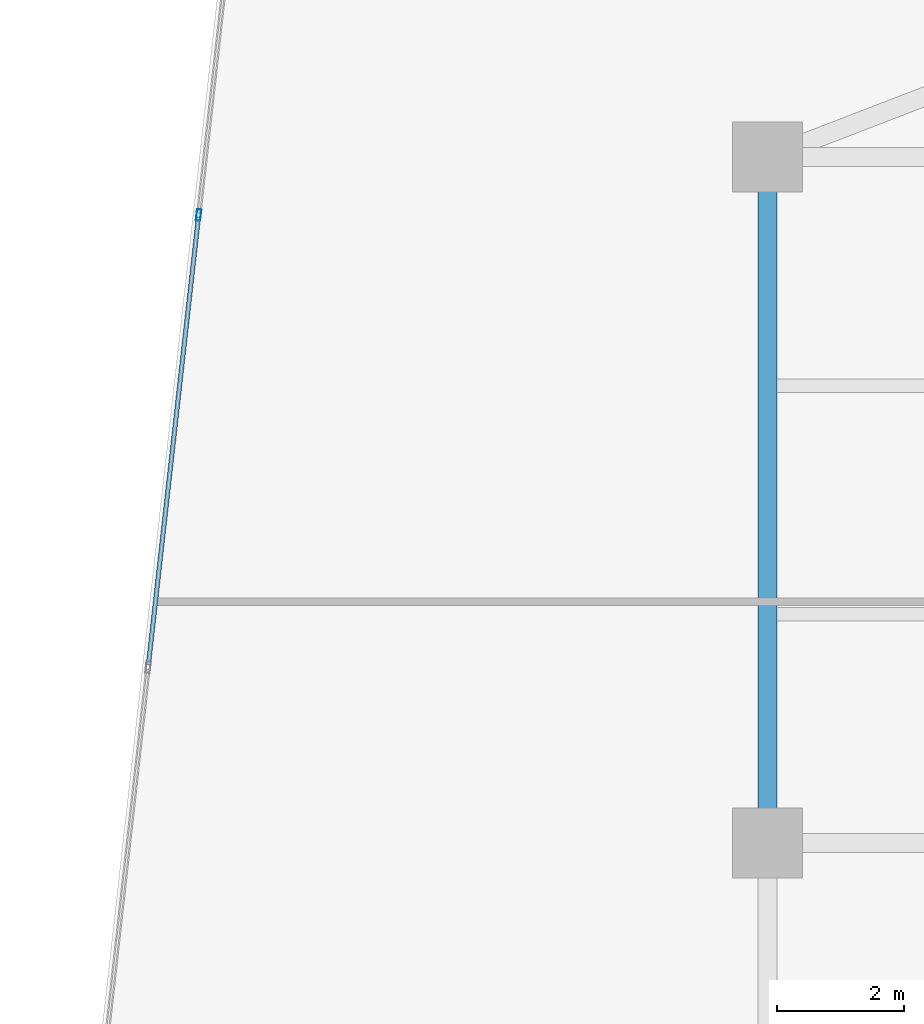
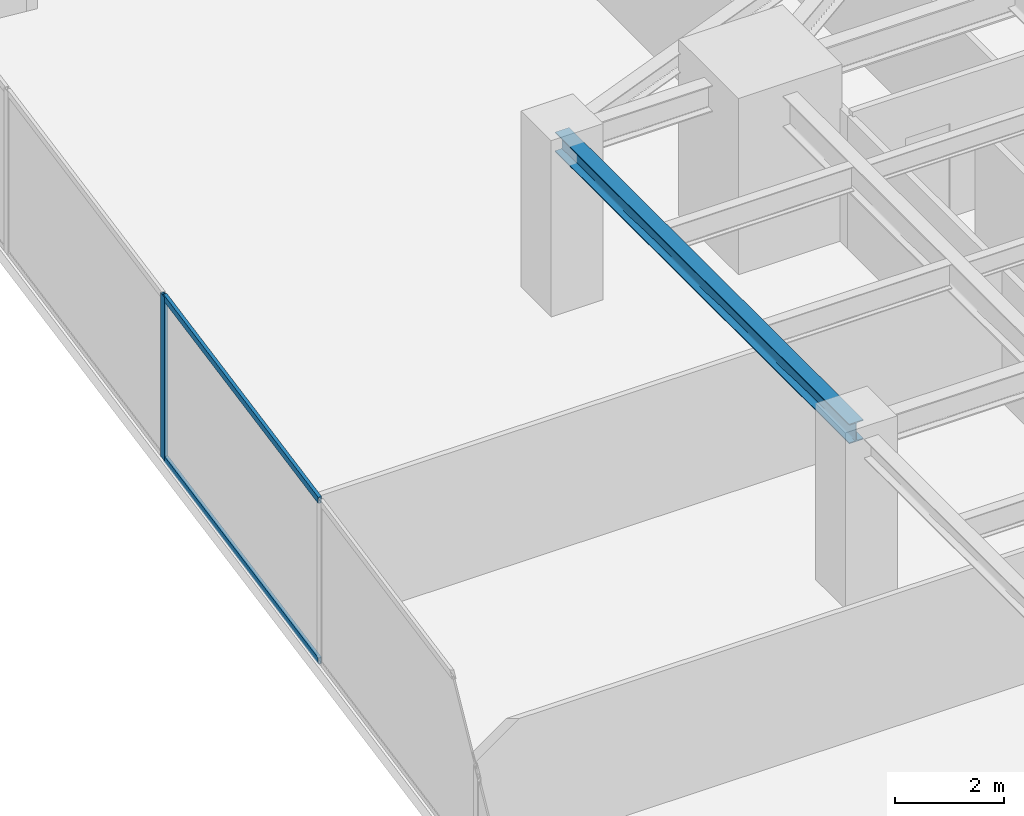
# One storey, part 15 of 29: 3 members, 1 beam, 1 element without a shape of its own.
"""IFC4 building model written with IfcOpenShell, lengths in metres."""

from ifc_helpers import new_model, si_unit, direction, frame, origin, origin_2d, place, context, subcontext, project, spatial, hollow_rectangle, i_section, extrude, source, transform, mapped, material, material_profile, profile_set, type_object, type_shapes, element, aggregate, save


model = new_model("IFC4")

# Units and contexts
model_context = context("Model", 3, precision=1e-05, world=origin(), true_north=direction((0.0, 1.0)))
body_context = subcontext(model_context, "Body", "Model", "MODEL_VIEW")
ifc_project = project(units=[si_unit("LENGTHUNIT", "METRE"), si_unit("AREAUNIT", "SQUARE_METRE"), si_unit("VOLUMEUNIT", "CUBIC_METRE"), si_unit("PLANEANGLEUNIT", "RADIAN"), si_unit("MASSUNIT", "GRAM", prefix="KILO")], contexts=[model_context])

# Site, building, storey
site_placement = place(None, origin())
site = spatial("IfcSite", under=ifc_project, at=site_placement, CompositionType="ELEMENT")
building_placement = place(site_placement, origin())
building = spatial("IfcBuilding", under=site, at=building_placement, Name="Krantzveldt Concourse Tower", CompositionType="ELEMENT")
storey_placement = place(building_placement, frame((0.0, 0.0, 60.550048828125)))
storey = spatial("IfcBuildingStorey", under=building, at=storey_placement, Name="L14", CompositionType="ELEMENT", Elevation=60.550048828125)

# Beam
ifc_material_1 = material(Name="Steel S355JR", Category="steel")
ifc_material_profile_1 = material_profile(ifc_material_1, i_section(OverallWidth=0.300048828125, OverallDepth=0.43994140625, WebThickness=0.011474609375, FlangeThickness=0.02099609375, FilletRadius=0.027099609375, at=origin_2d()), Name="Steel S355JR", Category="steel")
ifc_profile_set_1 = profile_set([ifc_material_profile_1], Name="Steel S355JR - HEA 450")
beam_type = type_object("IfcBeamType", Name="BM-SP-HEA450", PredefinedType="SPANDREL", material=ifc_profile_set_1)
shared_shape_1 = source(origin(), body_context, "Body", "SweptSolid", [
    extrude(i_section(OverallWidth=0.300048828125, OverallDepth=0.43994140625, WebThickness=0.011474609375, FlangeThickness=0.02099609375, FilletRadius=0.027099609375, at=origin_2d()), origin(), (0.0, 0.0, 1.0), 10.800048828125),
])
type_shapes(beam_type, [shared_shape_1])
beam_placement = place(storey_placement, frame((21.0, 26.699951171875, 3.449951171875), z_axis=(0.0, 1.0, 0.0), x_axis=(-1.0, 0.0, 0.0)))
element("IfcBeam", 1, at=beam_placement, inside=storey, type_object=beam_type, Name="L14 Tower Girder SP-R02", PredefinedType="SPANDREL", context=body_context, shape_type="MappedRepresentation", body=[
    mapped(shared_shape_1, transform((0.0, 0.0, 0.0), x_axis=(1.0, 0.0, 0.0), y_axis=(0.0, 1.0, 0.0), z_axis=(0.0, 0.0, 1.0), scale=1.0)),
])

# Curtain wall, members
ifc_material_2 = material(Name="Anodised aluminium 6063-T6", Category="aluminium")
curtain_wall_type = type_object("IfcCurtainWallType", Name="CW2", PredefinedType="USERDEFINED", material=ifc_material_2)
curtain_wall_placement = place(storey_placement, origin())
curtain_wall = element("IfcCurtainWall", 2, at=curtain_wall_placement, inside=storey, type_object=curtain_wall_type, Name="CW-L14-F01", ObjectType="UNITISED CURTAIN WALL", PredefinedType="USERDEFINED")
ifc_material_profile_2 = material_profile(ifc_material_2, hollow_rectangle(XDim=0.070068359375, YDim=0.179931640625, WallThickness=0.0048828125, at=origin_2d()), Name="Anodised aluminium 6063-T6", Category="aluminium")
ifc_profile_set_2 = profile_set([ifc_material_profile_2], Name="Anodised aluminium 6063-T6 - ALU-MULL 180x70x5")
member_type_1 = type_object("IfcMemberType", Name="CW-MUL-180", PredefinedType="MULLION", material=ifc_profile_set_2)
shared_shape_2 = source(origin(), body_context, "Body", "SweptSolid", [
    extrude(hollow_rectangle(XDim=0.070068359375, YDim=0.179931640625, WallThickness=0.0048828125, at=origin_2d()), origin(), (0.0, 0.0, 1.0), 3.669921875),
])
type_shapes(member_type_1, [shared_shape_2])
member_1_placement = place(storey_placement, frame((12.039794921875, 36.588134765625, 0.0), z_axis=(0.0, 0.0, 1.0), x_axis=(0.993816458223, -0.111035342863, 0.0)))
member_1 = element("IfcMember", 3, at=member_1_placement, type_object=member_type_1, Name="CW-Z12 mullion 3", PredefinedType="MULLION", context=body_context, shape_type="MappedRepresentation", body=[
    mapped(shared_shape_2, transform((0.0, 0.0, 0.0), x_axis=(1.0, 0.0, 0.0), y_axis=(0.0, 1.0, 0.0), z_axis=(0.0, 0.0, 1.0), scale=1.0)),
])
ifc_material_profile_3 = material_profile(ifc_material_2, hollow_rectangle(XDim=0.070068359375, YDim=0.139892578125, WallThickness=0.0048828125, at=origin_2d()), Name="Anodised aluminium 6063-T6", Category="aluminium")
ifc_profile_set_3 = profile_set([ifc_material_profile_3], Name="Anodised aluminium 6063-T6 - ALU-TRAN 140x70x5")
member_type_2 = type_object("IfcMemberType", Name="CW-TRN-150", PredefinedType="USERDEFINED", material=ifc_profile_set_3)
shared_shape_3 = source(origin(), body_context, "Body", "SweptSolid", [
    extrude(hollow_rectangle(XDim=0.070068359375, YDim=0.139892578125, WallThickness=0.0048828125, at=origin_2d()), origin(), (0.0, 0.0, 1.0), 7.0966796875),
])
type_shapes(member_type_2, [shared_shape_3])
member_2_placement = place(storey_placement, frame((12.035888671875, 36.553466796875, 0.034912109375), z_axis=(-0.111050746722, -0.993814737088, 0.0), x_axis=(0.993814737088, -0.111050746722, 0.0)))
member_2 = element("IfcMember", 4, at=member_2_placement, type_object=member_type_2, Name="CW-Z12 transom 3.1", ObjectType="TRANSOM", PredefinedType="USERDEFINED", context=body_context, shape_type="MappedRepresentation", body=[
    mapped(shared_shape_3, transform((0.0, 0.0, 0.0), x_axis=(1.0, 0.0, 0.0), y_axis=(0.0, 1.0, 0.0), z_axis=(0.0, 0.0, 1.0), scale=1.0)),
])
member_3_placement = place(storey_placement, frame((12.035888671875, 36.553466796875, 3.635009765625), z_axis=(-0.111050746722, -0.993814737088, 0.0), x_axis=(0.993814737088, -0.111050746722, 0.0)))
member_3 = element("IfcMember", 5, at=member_3_placement, type_object=member_type_2, Name="CW-Z12 transom 3.2", ObjectType="TRANSOM", PredefinedType="USERDEFINED", context=body_context, shape_type="MappedRepresentation", body=[
    mapped(shared_shape_3, transform((0.0, 0.0, 0.0), x_axis=(1.0, 0.0, 0.0), y_axis=(0.0, 1.0, 0.0), z_axis=(0.0, 0.0, 1.0), scale=1.0)),
])
aggregate(curtain_wall, [member_1, member_2, member_3])

save(model, "model.ifc")
